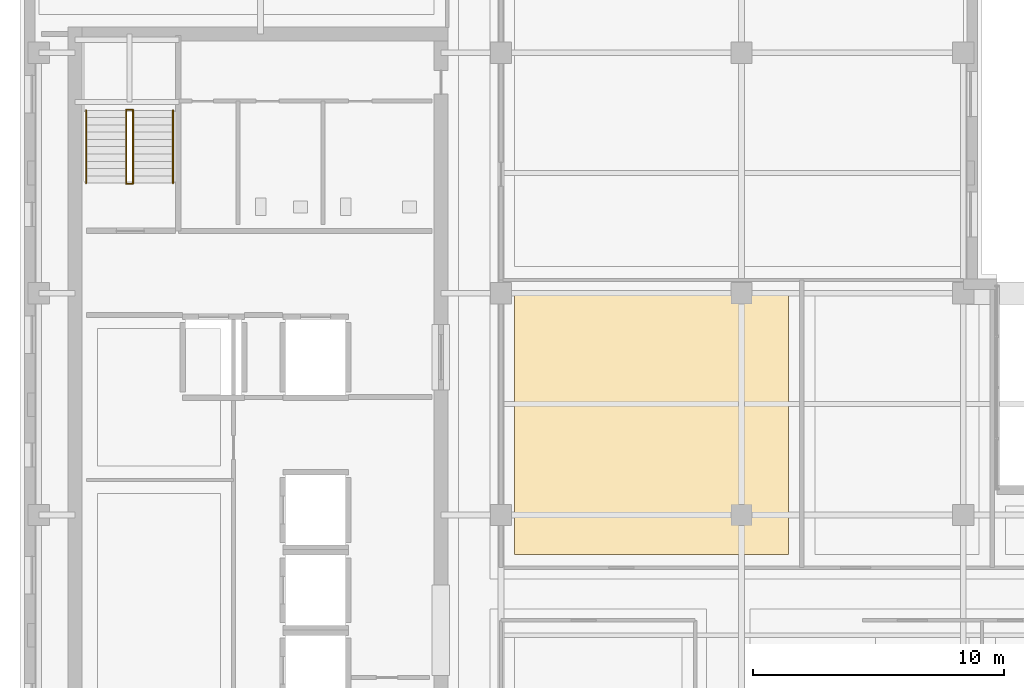
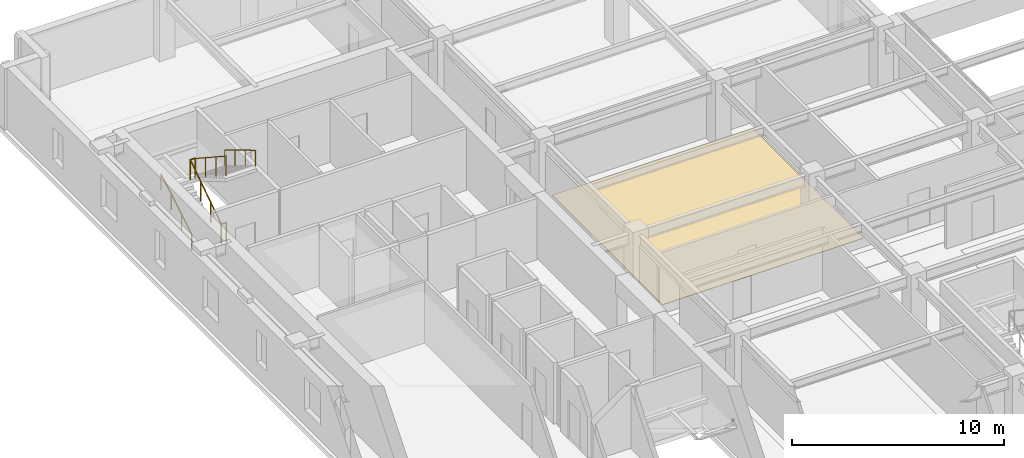
# One storey, part 10 of 12: 6 railings, 1 covering.
"""IFC4 building model written with IfcOpenShell, lengths in metres."""

from ifc_helpers import new_model, si_unit, direction, frame, origin, origin_2d, place, context, subcontext, project, spatial, polyline, circle, outline, extrude, material, layer, layer_set, type_object, element, save


model = new_model("IFC4")

# Units and contexts
model_context = context("Model", 3, precision=1e-05, world=origin(), true_north=direction((0.0, 1.0)))
body_context = subcontext(model_context, "Body", "Model", "MODEL_VIEW")
ifc_project = project(units=[si_unit("LENGTHUNIT", "METRE"), si_unit("AREAUNIT", "SQUARE_METRE"), si_unit("VOLUMEUNIT", "CUBIC_METRE"), si_unit("PLANEANGLEUNIT", "RADIAN"), si_unit("MASSUNIT", "GRAM", prefix="KILO")], contexts=[model_context])

# Site, building, storey
site_placement = place(None, origin())
site = spatial("IfcSite", under=ifc_project, at=site_placement, CompositionType="ELEMENT")
building_placement = place(site_placement, origin())
building = spatial("IfcBuilding", under=site, at=building_placement, Name="Norrvale University Quadrangle", CompositionType="ELEMENT")
storey_placement = place(building_placement, frame((0.0, 0.0, 225.60009765625)))
storey = spatial("IfcBuildingStorey", under=building, at=storey_placement, Name="L57", CompositionType="ELEMENT", Elevation=225.60009765625)

# Covering
ifc_material_1 = material(Name="Polished Terrazzo Flooring")
ifc_layer = layer(ifc_material_1, 0.02490234375, Name="Polished Terrazzo Flooring")
ifc_layer_set = layer_set([ifc_layer], Name="Polished Terrazzo Flooring")
covering_type = type_object("IfcCoveringType", Name="Covering Terrazzo Floor 30", PredefinedType="FLOORING", material=ifc_layer_set)
covering_placement = place(storey_placement, origin())
element("IfcCovering", 1, at=covering_placement, inside=storey, type_object=covering_type, Name="Terrazzo Flooring RM-L57-ME01", PredefinedType="FLOORING", context=body_context, shape_type="SweptSolid", body=[
    extrude(outline(polyline([(30.669921875, 37.64990234375), (30.669921875, 27.22998046875), (19.72998046875, 27.22998046875), (19.72998046875, 37.64990234375), (30.669921875, 37.64990234375)])), origin(), (0.0, 0.0, 1.0), 0.02490234375),
])

# Railings
ifc_material_2 = material(Name="Steel 350W Painted Balustrade", Category="steel")
railing_type_1 = type_object("IfcRailingType", Name="Railing Stair Guard 1100", PredefinedType="GUARDRAIL", material=ifc_material_2)
for number, where, name in (
    (2, (4.239990234375, 42.02001953125, 0.0), "Stair Floor Well Guard ST-02 L57"),
    (3, (4.239990234375, 44.97998046875, 1.89990234375), "Stair Mid-Landing Slot Guard ST-02 L57"),
):
    element("IfcRailing", number, at=place(storey_placement, frame(where)), inside=storey, type_object=railing_type_1, Name=name, PredefinedType="GUARDRAIL", context=body_context, shape_type="SweptSolid", body=[
        extrude(circle(Radius=0.02392578125, at=origin_2d()), frame((0.0, 0.0, 1.1259765625), z_axis=(1.0, 0.0, 0.0), x_axis=(0.0, 1.0, 0.0)), (0.0, 0.0, 1.0), 0.27001953125),
        extrude(circle(Radius=0.02099609375, at=origin_2d()), origin(), (0.0, 0.0, 1.0), 1.101806640625),
        extrude(circle(Radius=0.02099609375, at=origin_2d()), frame((0.27001953125, 0.0, 0.0)), (0.0, 0.0, 1.0), 1.101806640625),
    ])
railing_1_placement = place(storey_placement, frame((4.239990234375, 42.050048828125, 0.0)))
element("IfcRailing", 4, at=railing_1_placement, inside=storey, type_object=railing_type_1, Name="Stair Lower Flight Inner Guard ST-02 L57", PredefinedType="GUARDRAIL", context=body_context, shape_type="SweptSolid", body=[
    extrude(circle(Radius=0.02392578125, at=origin_2d()), frame((0.0, 0.0, 1.1259765625), z_axis=(0.0, 0.836465582154, 0.548019461216), x_axis=(-1.0, 0.0, 0.0)), (0.0, 0.0, 1.0), 3.466796875),
    extrude(circle(Radius=0.02099609375, at=origin_2d()), origin(), (0.0, 0.0, 1.0), 1.101806640625),
    extrude(circle(Radius=0.02099609375, at=origin_2d()), frame((0.0, 0.966552734375, 0.63330078125)), (0.0, 0.0, 1.0), 1.101806640625),
    extrude(circle(Radius=0.02099609375, at=origin_2d()), frame((0.0, 1.933349609375, 1.2666015625)), (0.0, 0.0, 1.0), 1.101806640625),
    extrude(circle(Radius=0.02099609375, at=origin_2d()), frame((0.0, 2.89990234375, 1.89990234375)), (0.0, 0.0, 1.0), 1.101806640625),
])
railing_2_placement = place(storey_placement, frame((4.510009765625, 44.949951171875, 1.89990234375)))
element("IfcRailing", 5, at=railing_2_placement, inside=storey, type_object=railing_type_1, Name="Stair Upper Flight Inner Guard ST-02 L57", PredefinedType="GUARDRAIL", context=body_context, shape_type="SweptSolid", body=[
    extrude(circle(Radius=0.02392578125, at=origin_2d()), frame((0.0, 0.0, 1.1259765625), z_axis=(0.0, -0.836465582154, 0.548019461216), x_axis=(1.0, 0.0, 0.0)), (0.0, 0.0, 1.0), 3.466796875),
    extrude(circle(Radius=0.02099609375, at=origin_2d()), origin(), (0.0, 0.0, 1.0), 1.101806640625),
    extrude(circle(Radius=0.02099609375, at=origin_2d()), frame((0.0, -0.966552734375, 0.63330078125)), (0.0, 0.0, 1.0), 1.101806640625),
    extrude(circle(Radius=0.02099609375, at=origin_2d()), frame((0.0, -1.933349609375, 1.2666015625)), (0.0, 0.0, 1.0), 1.101806640625),
    extrude(circle(Radius=0.02099609375, at=origin_2d()), frame((0.0, -2.89990234375, 1.89990234375)), (0.0, 0.0, 1.0), 1.101806640625),
])
ifc_material_3 = material(Name="Stainless Steel 316L Handrail", Category="steel")
railing_type_2 = type_object("IfcRailingType", Name="Railing Stair Handrail 920", PredefinedType="HANDRAIL", material=ifc_material_3)
railing_3_placement = place(storey_placement, frame((2.639892578125, 42.050048828125, 0.172607421875)))
element("IfcRailing", 6, at=railing_3_placement, inside=storey, type_object=railing_type_2, Name="Stair Lower Flight Handrail ST-02 L57", PredefinedType="HANDRAIL", context=body_context, shape_type="SweptSolid", body=[
    extrude(circle(Radius=0.02392578125, at=origin_2d()), frame((0.0, 0.0, 0.89599609375), z_axis=(0.0, 0.859141464434, 0.511738159696), x_axis=(-1.0, 0.0, 0.0)), (0.0, 0.0, 1.0), 3.375244140625),
    extrude(circle(Radius=0.02099609375, at=origin_2d()), origin(), (0.0, 0.0, 1.0), 0.871826171875),
    extrude(circle(Radius=0.02099609375, at=origin_2d()), frame((0.0, 0.966552734375, 0.57568359375)), (0.0, 0.0, 1.0), 0.871826171875),
    extrude(circle(Radius=0.02099609375, at=origin_2d()), frame((0.0, 1.933349609375, 1.151611328125)), (0.0, 0.0, 1.0), 0.871826171875),
    extrude(circle(Radius=0.02099609375, at=origin_2d()), frame((0.0, 2.89990234375, 1.727294921875)), (0.0, 0.0, 1.0), 0.871826171875),
])
railing_4_placement = place(storey_placement, frame((6.110107421875, 44.949951171875, 2.072509765625)))
element("IfcRailing", 7, at=railing_4_placement, inside=storey, type_object=railing_type_2, Name="Stair Upper Flight Handrail ST-02 L57", PredefinedType="HANDRAIL", context=body_context, shape_type="SweptSolid", body=[
    extrude(circle(Radius=0.02392578125, at=origin_2d()), frame((0.0, 0.0, 0.89599609375), z_axis=(0.0, -0.859141464434, 0.511738159696), x_axis=(1.0, 0.0, 0.0)), (0.0, 0.0, 1.0), 3.375244140625),
    extrude(circle(Radius=0.02099609375, at=origin_2d()), origin(), (0.0, 0.0, 1.0), 0.871826171875),
    extrude(circle(Radius=0.02099609375, at=origin_2d()), frame((0.0, -0.966552734375, 0.57568359375)), (0.0, 0.0, 1.0), 0.871826171875),
    extrude(circle(Radius=0.02099609375, at=origin_2d()), frame((0.0, -1.933349609375, 1.151611328125)), (0.0, 0.0, 1.0), 0.871826171875),
    extrude(circle(Radius=0.02099609375, at=origin_2d()), frame((0.0, -2.89990234375, 1.727294921875)), (0.0, 0.0, 1.0), 0.871826171875),
])

save(model, "model.ifc")
